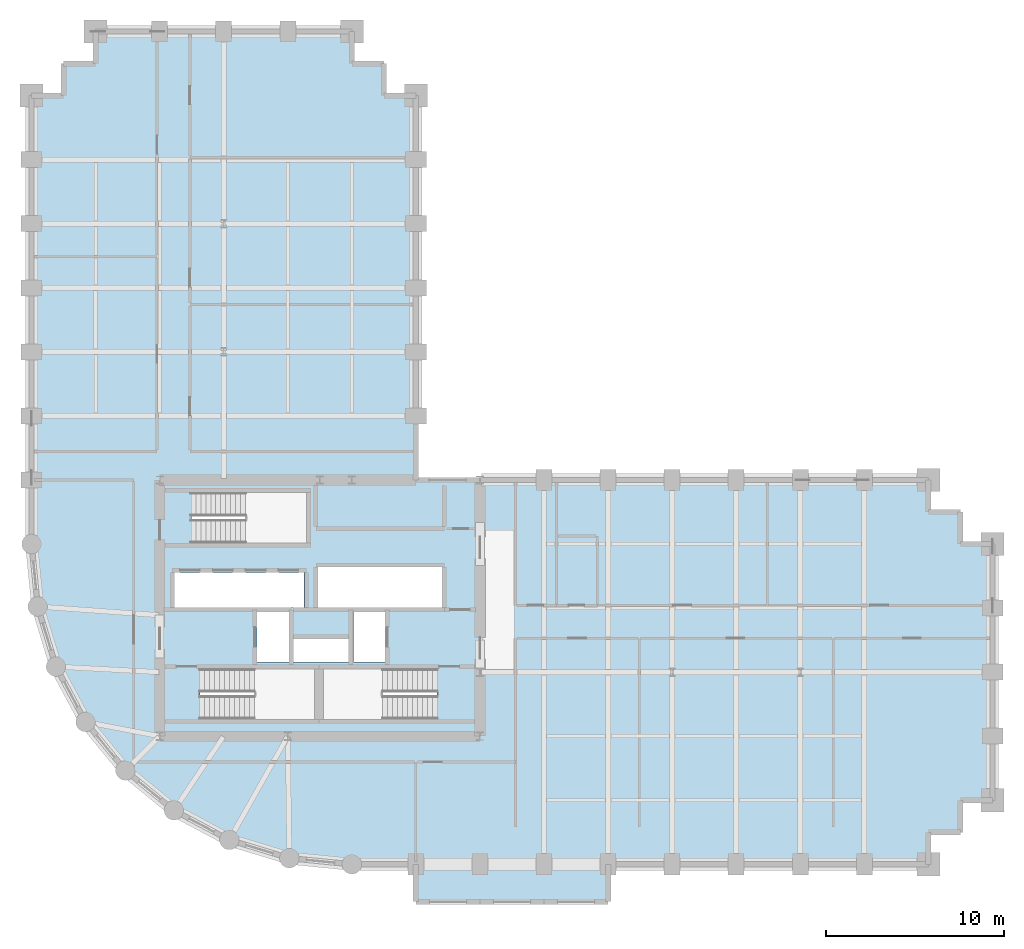
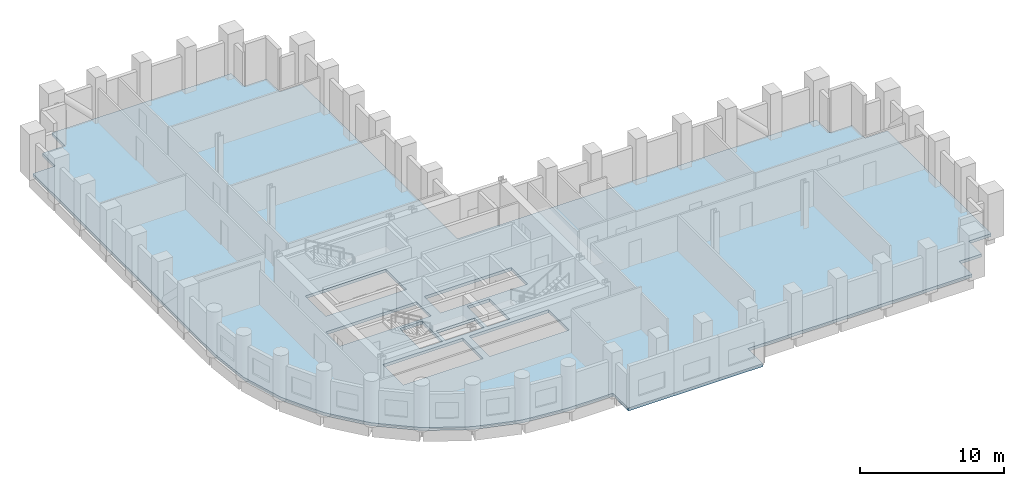
# One storey, part 4 of 9: 1 slab.
"""IFC4 building model written with IfcOpenShell, lengths in metres."""

from ifc_helpers import new_model, si_unit, direction, frame, origin, place, context, subcontext, project, spatial, polyline, outline, extrude, material, layer, layer_set, type_object, element, save


model = new_model("IFC4")

# Units and contexts
model_context = context("Model", 3, precision=1e-05, world=origin(), true_north=direction((0.0, 1.0)))
body_context = subcontext(model_context, "Body", "Model", "MODEL_VIEW")
ifc_project = project(units=[si_unit("LENGTHUNIT", "METRE"), si_unit("AREAUNIT", "SQUARE_METRE"), si_unit("VOLUMEUNIT", "CUBIC_METRE"), si_unit("PLANEANGLEUNIT", "RADIAN"), si_unit("MASSUNIT", "GRAM", prefix="KILO")], contexts=[model_context])

# Site, building, storey
site_placement = place(None, origin())
site = spatial("IfcSite", under=ifc_project, at=site_placement, CompositionType="ELEMENT")
building_placement = place(site_placement, origin())
building = spatial("IfcBuilding", under=site, at=building_placement, Name="Solnavia Interchange Tower", CompositionType="ELEMENT")
storey_placement = place(building_placement, frame((0.0, 0.0, 66.89990234375)))
storey = spatial("IfcBuildingStorey", under=building, at=storey_placement, Name="L16", CompositionType="ELEMENT", Elevation=66.89990234375)

# Slab
ifc_material = material(Name="Concrete C40/50", Category="concrete")
ifc_layer = layer(ifc_material, 0.25)
ifc_layer_set = layer_set([ifc_layer], Name="Concrete C40/50")
slab_type = type_object("IfcSlabType", Name="Slab-Tower-250", PredefinedType="FLOOR", material=ifc_layer_set)
slab_placement = place(storey_placement, frame((0.0, 0.0, -0.25)))
element("IfcSlab", 1, at=slab_placement, inside=storey, type_object=slab_type, Name="SLB-L16-01 Structural floor slab", PredefinedType="FLOOR", context=body_context, shape_type="SweptSolid", body=[
    extrude(outline(polyline([(25.199951171875, 3.60009765625), (28.800048828125, 3.60009765625), (28.800048828125, 1.5), (39.60009765625, 1.5), (39.60009765625, 3.60009765625), (57.60009765625, 3.60009765625), (57.60009765625, 5.39990234375), (59.39990234375, 5.39990234375), (59.39990234375, 7.199951171875), (61.199951171875, 7.199951171875), (61.199951171875, 21.60009765625), (59.39990234375, 21.60009765625), (59.39990234375, 23.39990234375), (57.60009765625, 23.39990234375), (57.60009765625, 25.199951171875), (28.800048828125, 25.199951171875), (28.800048828125, 46.800048828125), (27.0, 46.800048828125), (27.0, 48.60009765625), (25.199951171875, 48.60009765625), (25.199951171875, 50.39990234375), (10.800048828125, 50.39990234375), (10.800048828125, 48.60009765625), (9.0, 48.60009765625), (9.0, 46.800048828125), (7.199951171875, 46.800048828125), (7.199951171875, 21.60009765625), (7.5458984375, 18.087890625), (8.570068359375, 14.7119140625), (10.23388671875, 11.60009765625), (12.471923828125, 8.8720703125), (15.199951171875, 6.634033203125), (18.31201171875, 4.969970703125), (21.68798828125, 3.946044921875), (25.199951171875, 3.60009765625)]), holes=[polyline([(16.675048828125, 11.75), (23.10009765625, 11.75), (23.10009765625, 14.590087890625), (16.675048828125, 14.590087890625), (16.675048828125, 11.75)]), polyline([(23.60009765625, 11.75), (29.97509765625, 11.75), (29.97509765625, 14.590087890625), (23.60009765625, 14.590087890625), (23.60009765625, 11.75)]), polyline([(16.175048828125, 21.64990234375), (22.64990234375, 21.64990234375), (22.64990234375, 24.489990234375), (16.175048828125, 24.489990234375), (16.175048828125, 21.64990234375)]), polyline([(19.8798828125, 14.9599609375), (21.679931640625, 14.9599609375), (21.679931640625, 17.780029296875), (19.8798828125, 17.780029296875), (19.8798828125, 14.9599609375)]), polyline([(25.280029296875, 14.9599609375), (27.080078125, 14.9599609375), (27.080078125, 17.780029296875), (25.280029296875, 17.780029296875), (25.280029296875, 14.9599609375)]), polyline([(21.919921875, 14.9599609375), (25.02001953125, 14.9599609375), (25.02001953125, 16.280029296875), (21.919921875, 16.280029296875), (21.919921875, 14.9599609375)]), polyline([(15.219970703125, 18.02001953125), (22.52001953125, 18.02001953125), (22.52001953125, 20.0), (15.219970703125, 20.0), (15.219970703125, 18.02001953125)]), polyline([(23.300048828125, 18.02001953125), (30.280029296875, 18.02001953125), (30.280029296875, 20.300048828125), (23.300048828125, 20.300048828125), (23.300048828125, 18.02001953125)])]), origin(), (0.0, 0.0, 1.0), 0.25),
])

save(model, "model.ifc")
